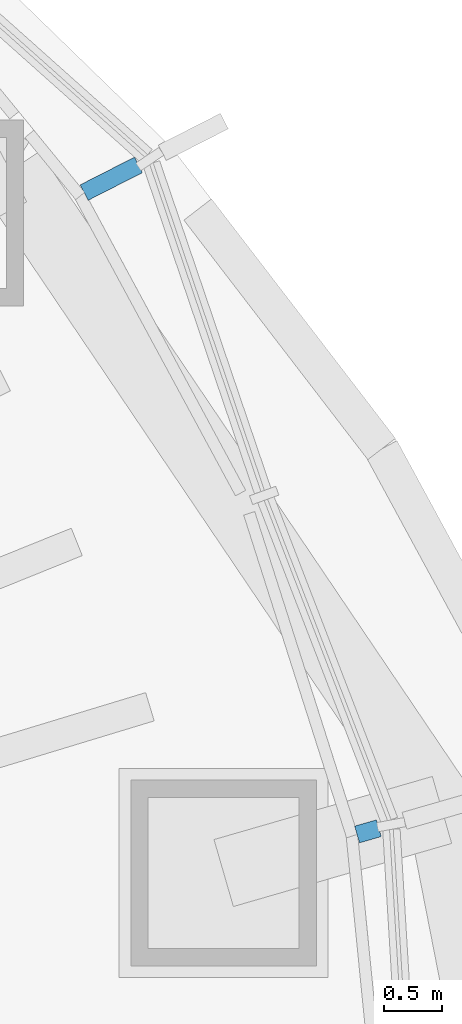
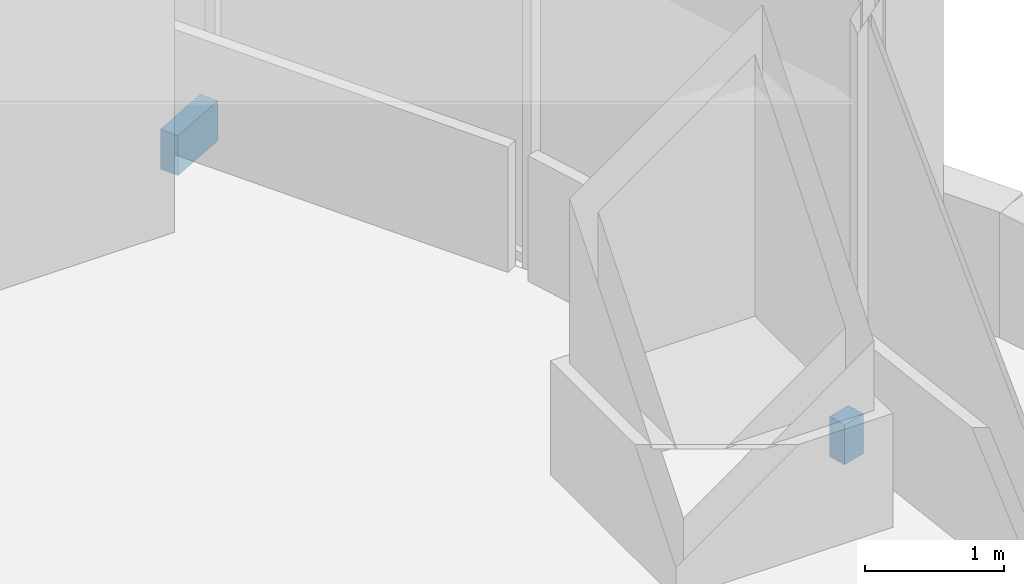
# One storey, part 18 of 20: 2 discrete accessories.
"""IFC4 building model written with IfcOpenShell, lengths in metres."""

from ifc_helpers import new_model, si_unit, direction, frame, origin, origin_2d, place, context, subcontext, project, spatial, rectangle, extrude, material, type_object, element, save


model = new_model("IFC4")

# Units and contexts
model_context = context("Model", 3, precision=1e-05, world=origin(), true_north=direction((0.0, 1.0)))
body_context = subcontext(model_context, "Body", "Model", "MODEL_VIEW")
ifc_project = project(units=[si_unit("LENGTHUNIT", "METRE"), si_unit("AREAUNIT", "SQUARE_METRE"), si_unit("VOLUMEUNIT", "CUBIC_METRE"), si_unit("PLANEANGLEUNIT", "RADIAN"), si_unit("MASSUNIT", "GRAM", prefix="KILO")], contexts=[model_context])

# Site, building, storey
site_placement = place(None, origin())
site = spatial("IfcSite", under=ifc_project, at=site_placement, CompositionType="ELEMENT")
building_placement = place(site_placement, origin())
building = spatial("IfcBuilding", under=site, at=building_placement, Name="Ghaith Harvest Tower", CompositionType="ELEMENT")
storey_placement = place(building_placement, frame((0.0, 0.0, 105.0)))
storey = spatial("IfcBuildingStorey", under=building, at=storey_placement, Name="L21", CompositionType="ELEMENT", Elevation=105.0)

# Discrete accessories
ifc_material_1 = material(Name="Stainless steel grade 1.4401", Category="steel")
discrete_accessory_type_1 = type_object("IfcDiscreteAccessoryType", Name="CURTAIN WALL BRACKET 195", PredefinedType="BRACKET", material=ifc_material_1)
discrete_accessory_1_placement = place(storey_placement, frame((30.528076171875, 8.8232421875, -0.25), z_axis=(0.0, 0.0, 1.0), x_axis=(0.960680349985, 0.277656739792, 0.0)))
element("IfcDiscreteAccessory", 1, at=discrete_accessory_1_placement, inside=storey, type_object=discrete_accessory_type_1, Name="CW-L bracket 1 bay 02 L21", PredefinedType="BRACKET", context=body_context, shape_type="SweptSolid", body=[
    extrude(rectangle(XDim=0.195068359375, YDim=0.14990234375, at=origin_2d()), origin(), (0.0, 0.0, 1.0), 0.35009765625),
])
ifc_material_2 = material(Name="Stainless steel grade 1.4401", Category="steel")
discrete_accessory_type_2 = type_object("IfcDiscreteAccessoryType", Name="CURTAIN WALL BRACKET 525", PredefinedType="BRACKET", material=ifc_material_2)
discrete_accessory_2_placement = place(storey_placement, frame((28.318115234375, 14.442626953125, -0.25), z_axis=(0.0, 0.0, 1.0), x_axis=(0.890830752257, 0.454335306611, 0.0)))
element("IfcDiscreteAccessory", 2, at=discrete_accessory_2_placement, inside=storey, type_object=discrete_accessory_type_2, Name="CW-L bracket 3 bay 02 L21", PredefinedType="BRACKET", context=body_context, shape_type="SweptSolid", body=[
    extrude(rectangle(XDim=0.52490234375, YDim=0.14990234375, at=origin_2d()), origin(), (0.0, 0.0, 1.0), 0.35009765625),
])

save(model, "model.ifc")
